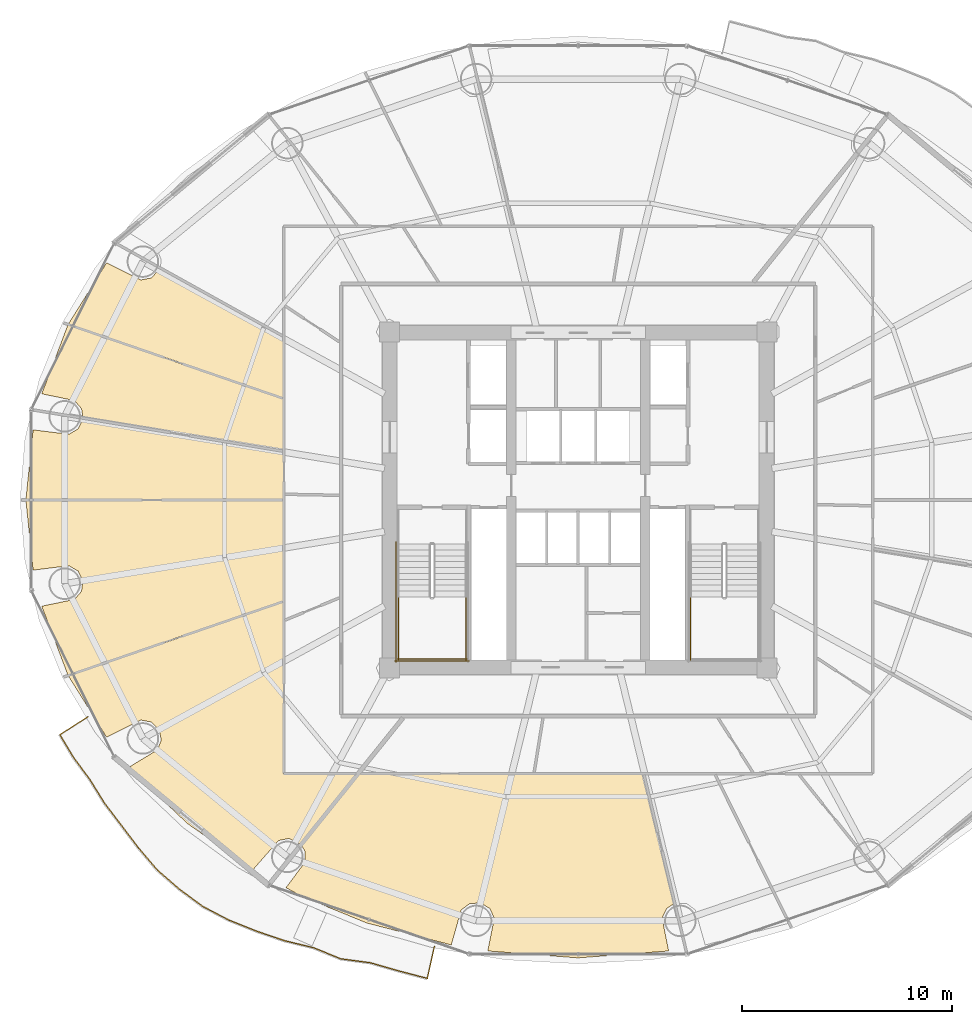
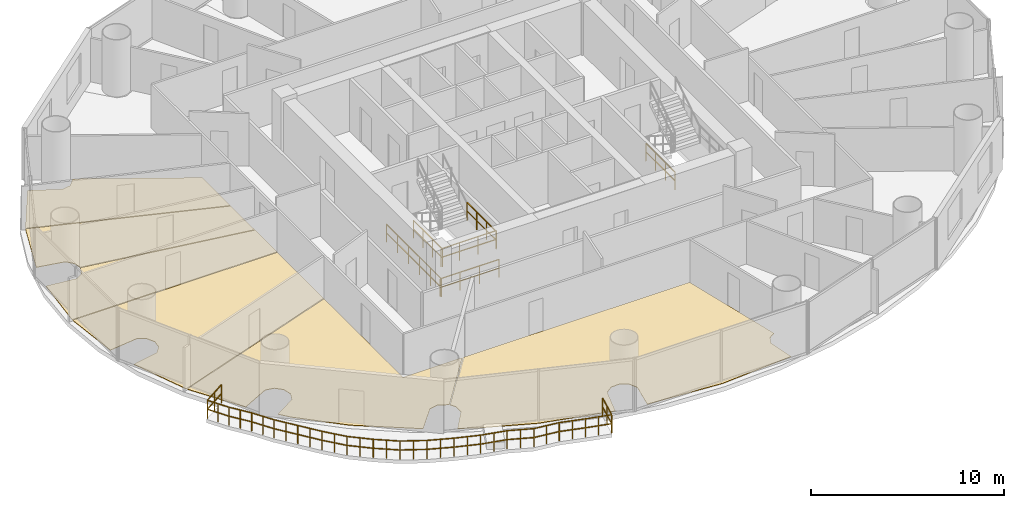
# One storey, part 26 of 29: 7 railings, 6 coverings.
"""IFC4 building model written with IfcOpenShell, lengths in metres."""

from ifc_helpers import new_model, si_unit, direction, frame, origin, origin_2d, place, context, subcontext, project, spatial, polyline, rectangle, outline, extrude, material, layer, layer_set, type_object, element, save


model = new_model("IFC4")

# Units and contexts
model_context = context("Model", 3, precision=1e-05, world=origin(), true_north=direction((-0.2419218956, 0.970295726276)))
body_context = subcontext(model_context, "Body", "Model", "MODEL_VIEW")
ifc_project = project(units=[si_unit("LENGTHUNIT", "METRE"), si_unit("AREAUNIT", "SQUARE_METRE"), si_unit("VOLUMEUNIT", "CUBIC_METRE"), si_unit("PLANEANGLEUNIT", "RADIAN"), si_unit("MASSUNIT", "GRAM", prefix="KILO")], contexts=[model_context])

# Site, building, storey
site_placement = place(None, origin())
site = spatial("IfcSite", under=ifc_project, at=site_placement, CompositionType="ELEMENT")
building_placement = place(site_placement, origin())
building = spatial("IfcBuilding", under=site, at=building_placement, Name="Cobrevalo Terracotta Tower", CompositionType="ELEMENT")
storey_placement = place(building_placement, frame((0.0, 0.0, 112.199951171875)))
storey = spatial("IfcBuildingStorey", under=building, at=storey_placement, Name="L29", CompositionType="ELEMENT", Elevation=112.199951171875)

# Railing
ifc_material_1 = material(Name="Laminated structural glass and stainless steel", Category="steel")
railing_type_1 = type_object("IfcRailingType", Name="Balcony lobe structural glass & terracotta-cap balustrade 1180 mm", PredefinedType="BALUSTRADE", material=ifc_material_1)
railing_1_placement = place(storey_placement, frame((14.63916015625, 16.47216796875, 0.0)))
element("IfcRailing", 1, at=railing_1_placement, inside=storey, type_object=railing_type_1, Name="L29 spiralling balcony lobe balustrade 2", PredefinedType="BALUSTRADE", context=body_context, shape_type="SweptSolid", body=[
    extrude(rectangle(XDim=0.048095703125, YDim=0.048095703125, at=origin_2d()), frame((0.0, 0.0, 1.15576171875), z_axis=(-0.842335624258, -0.538953333885, 0.0), x_axis=(0.538953333885, -0.842335624258, 0.0)), (0.0, 0.0, 1.0), 1.587646484375),
    extrude(rectangle(XDim=0.048095703125, YDim=0.048095703125, at=origin_2d()), frame((0.0, 0.0, 0.58984375), z_axis=(-0.842335624258, -0.538953333885, 0.0), x_axis=(0.538953333885, -0.842335624258, 0.0)), (0.0, 0.0, 1.0), 1.587646484375),
    extrude(rectangle(XDim=0.048095703125, YDim=0.048095703125, at=origin_2d()), frame((-1.33740234375, -0.855712890625, 1.15576171875), z_axis=(0.512466619976, -0.858707146477, 0.0), x_axis=(0.858707146477, 0.512466619976, 0.0)), (0.0, 0.0, 1.0), 1.27490234375),
    extrude(rectangle(XDim=0.048095703125, YDim=0.048095703125, at=origin_2d()), frame((-1.33740234375, -0.855712890625, 0.58984375), z_axis=(0.512466619976, -0.858707146477, 0.0), x_axis=(0.858707146477, 0.512466619976, 0.0)), (0.0, 0.0, 1.0), 1.27490234375),
    extrude(rectangle(XDim=0.048095703125, YDim=0.048095703125, at=origin_2d()), frame((-0.68408203125, -1.950439453125, 1.15576171875), z_axis=(0.59694868326, -0.802279421121, 0.0), x_axis=(0.802279421121, 0.59694868326, 0.0)), (0.0, 0.0, 1.0), 1.294921875),
    extrude(rectangle(XDim=0.048095703125, YDim=0.048095703125, at=origin_2d()), frame((-0.68408203125, -1.950439453125, 0.58984375), z_axis=(0.59694868326, -0.802279421121, 0.0), x_axis=(0.802279421121, 0.59694868326, 0.0)), (0.0, 0.0, 1.0), 1.294921875),
    extrude(rectangle(XDim=0.048095703125, YDim=0.048095703125, at=origin_2d()), frame((0.0888671875, -2.9892578125, 1.15576171875), z_axis=(0.525113053791, -0.85103247925, 0.0), x_axis=(0.85103247925, 0.525113053791, 0.0)), (0.0, 0.0, 1.0), 1.31396484375),
    extrude(rectangle(XDim=0.048095703125, YDim=0.048095703125, at=origin_2d()), frame((0.0888671875, -2.9892578125, 0.58984375), z_axis=(0.525113053791, -0.85103247925, 0.0), x_axis=(0.85103247925, 0.525113053791, 0.0)), (0.0, 0.0, 1.0), 1.31396484375),
    extrude(rectangle(XDim=0.048095703125, YDim=0.048095703125, at=origin_2d()), frame((0.77880859375, -4.107421875, 1.15576171875), z_axis=(0.604874617379, -0.796320725117, 0.0), x_axis=(0.796320725117, 0.604874617379, 0.0)), (0.0, 0.0, 1.0), 1.335205078125),
    extrude(rectangle(XDim=0.048095703125, YDim=0.048095703125, at=origin_2d()), frame((0.77880859375, -4.107421875, 0.58984375), z_axis=(0.604874617379, -0.796320725117, 0.0), x_axis=(0.796320725117, 0.604874617379, 0.0)), (0.0, 0.0, 1.0), 1.335205078125),
    extrude(rectangle(XDim=0.048095703125, YDim=0.048095703125, at=origin_2d()), frame((1.58642578125, -5.170654296875, 1.15576171875), z_axis=(0.604264852261, -0.796783526638, 0.0), x_axis=(0.796783526638, 0.604264852261, 0.0)), (0.0, 0.0, 1.0), 1.362060546875),
    extrude(rectangle(XDim=0.048095703125, YDim=0.048095703125, at=origin_2d()), frame((1.58642578125, -5.170654296875, 0.58984375), z_axis=(0.604264852261, -0.796783526638, 0.0), x_axis=(0.796783526638, 0.604264852261, 0.0)), (0.0, 0.0, 1.0), 1.362060546875),
    extrude(rectangle(XDim=0.048095703125, YDim=0.048095703125, at=origin_2d()), frame((2.409423828125, -6.255859375, 1.15576171875), z_axis=(0.647962962217, -0.761671845085, 0.0), x_axis=(0.761671845085, 0.647962962217, 0.0)), (0.0, 0.0, 1.0), 1.3740234375),
    extrude(rectangle(XDim=0.048095703125, YDim=0.048095703125, at=origin_2d()), frame((2.409423828125, -6.255859375, 0.58984375), z_axis=(0.647962962217, -0.761671845085, 0.0), x_axis=(0.761671845085, 0.647962962217, 0.0)), (0.0, 0.0, 1.0), 1.3740234375),
    extrude(rectangle(XDim=0.048095703125, YDim=0.048095703125, at=origin_2d()), frame((3.2998046875, -7.302490234375, 1.15576171875), z_axis=(0.755822427035, -0.654776648019, 0.0), x_axis=(0.654776648019, 0.755822427035, 0.0)), (0.0, 0.0, 1.0), 1.38916015625),
    extrude(rectangle(XDim=0.048095703125, YDim=0.048095703125, at=origin_2d()), frame((3.2998046875, -7.302490234375, 0.58984375), z_axis=(0.755822427035, -0.654776648019, 0.0), x_axis=(0.654776648019, 0.755822427035, 0.0)), (0.0, 0.0, 1.0), 1.38916015625),
    extrude(rectangle(XDim=0.048095703125, YDim=0.048095703125, at=origin_2d()), frame((4.349853515625, -8.212158203125, 1.15576171875), z_axis=(0.803989798826, -0.594643089075, 0.0), x_axis=(0.594643089075, 0.803989798826, 0.0)), (0.0, 0.0, 1.0), 1.388916015625),
    extrude(rectangle(XDim=0.048095703125, YDim=0.048095703125, at=origin_2d()), frame((4.349853515625, -8.212158203125, 0.58984375), z_axis=(0.803989798826, -0.594643089075, 0.0), x_axis=(0.594643089075, 0.803989798826, 0.0)), (0.0, 0.0, 1.0), 1.388916015625),
    extrude(rectangle(XDim=0.048095703125, YDim=0.048095703125, at=origin_2d()), frame((5.466552734375, -9.0380859375, 1.15576171875), z_axis=(0.886076256137, -0.463539500269, 0.0), x_axis=(0.463539500269, 0.886076256137, 0.0)), (0.0, 0.0, 1.0), 1.4052734375),
    extrude(rectangle(XDim=0.048095703125, YDim=0.048095703125, at=origin_2d()), frame((5.466552734375, -9.0380859375, 0.58984375), z_axis=(0.886076256137, -0.463539500269, 0.0), x_axis=(0.463539500269, 0.886076256137, 0.0)), (0.0, 0.0, 1.0), 1.4052734375),
    extrude(rectangle(XDim=0.048095703125, YDim=0.048095703125, at=origin_2d()), frame((6.711669921875, -9.689453125, 1.15576171875), z_axis=(0.928488574912, -0.37136096491, 0.0), x_axis=(0.37136096491, 0.928488574912, 0.0)), (0.0, 0.0, 1.0), 1.416748046875),
    extrude(rectangle(XDim=0.048095703125, YDim=0.048095703125, at=origin_2d()), frame((6.711669921875, -9.689453125, 0.58984375), z_axis=(0.928488574912, -0.37136096491, 0.0), x_axis=(0.37136096491, 0.928488574912, 0.0)), (0.0, 0.0, 1.0), 1.416748046875),
    extrude(rectangle(XDim=0.048095703125, YDim=0.048095703125, at=origin_2d()), frame((8.027099609375, -10.215576171875, 1.15576171875), z_axis=(0.946279965288, -0.323348461099, 0.0), x_axis=(0.323348461099, 0.946279965288, 0.0)), (0.0, 0.0, 1.0), 1.407470703125),
    extrude(rectangle(XDim=0.048095703125, YDim=0.048095703125, at=origin_2d()), frame((8.027099609375, -10.215576171875, 0.58984375), z_axis=(0.946279965288, -0.323348461099, 0.0), x_axis=(0.323348461099, 0.946279965288, 0.0)), (0.0, 0.0, 1.0), 1.407470703125),
    extrude(rectangle(XDim=0.048095703125, YDim=0.048095703125, at=origin_2d()), frame((9.35888671875, -10.670654296875, 1.15576171875), z_axis=(0.971982698501, -0.235052406527, 0.0), x_axis=(0.235052406527, 0.971982698501, 0.0)), (0.0, 0.0, 1.0), 1.42919921875),
    extrude(rectangle(XDim=0.048095703125, YDim=0.048095703125, at=origin_2d()), frame((9.35888671875, -10.670654296875, 0.58984375), z_axis=(0.971982698501, -0.235052406527, 0.0), x_axis=(0.235052406527, 0.971982698501, 0.0)), (0.0, 0.0, 1.0), 1.42919921875),
    extrude(rectangle(XDim=0.048095703125, YDim=0.048095703125, at=origin_2d()), frame((10.748046875, -11.006591796875, 1.15576171875), z_axis=(0.925843908026, -0.377906149688, 0.0), x_axis=(0.377906149688, 0.925843908026, 0.0)), (0.0, 0.0, 1.0), 1.39990234375),
    extrude(rectangle(XDim=0.048095703125, YDim=0.048095703125, at=origin_2d()), frame((10.748046875, -11.006591796875, 0.58984375), z_axis=(0.925843908026, -0.377906149688, 0.0), x_axis=(0.377906149688, 0.925843908026, 0.0)), (0.0, 0.0, 1.0), 1.39990234375),
    extrude(rectangle(XDim=0.048095703125, YDim=0.048095703125, at=origin_2d()), frame((12.044189453125, -11.53564453125, 1.15576171875), z_axis=(0.991221932441, -0.132208474187, 0.0), x_axis=(0.132208474187, 0.991221932441, 0.0)), (0.0, 0.0, 1.0), 1.42919921875),
    extrude(rectangle(XDim=0.048095703125, YDim=0.048095703125, at=origin_2d()), frame((12.044189453125, -11.53564453125, 0.58984375), z_axis=(0.991221932441, -0.132208474187, 0.0), x_axis=(0.132208474187, 0.991221932441, 0.0)), (0.0, 0.0, 1.0), 1.42919921875),
    extrude(rectangle(XDim=0.048095703125, YDim=0.048095703125, at=origin_2d()), frame((13.4609375, -11.724609375, 1.15576171875), z_axis=(0.961267940498, -0.275615577519, 0.0), x_axis=(0.275615577519, 0.961267940498, 0.0)), (0.0, 0.0, 1.0), 1.40576171875),
    extrude(rectangle(XDim=0.048095703125, YDim=0.048095703125, at=origin_2d()), frame((13.4609375, -11.724609375, 0.58984375), z_axis=(0.961267940498, -0.275615577519, 0.0), x_axis=(0.275615577519, 0.961267940498, 0.0)), (0.0, 0.0, 1.0), 1.40576171875),
    extrude(rectangle(XDim=0.048095703125, YDim=0.048095703125, at=origin_2d()), frame((14.812255859375, -12.112060546875, 1.15576171875), z_axis=(0.967200536838, -0.254014018393, 0.0), x_axis=(0.254014018393, 0.967200536838, 0.0)), (0.0, 0.0, 1.0), 1.404296875),
    extrude(rectangle(XDim=0.048095703125, YDim=0.048095703125, at=origin_2d()), frame((14.812255859375, -12.112060546875, 0.58984375), z_axis=(0.967200536838, -0.254014018393, 0.0), x_axis=(0.254014018393, 0.967200536838, 0.0)), (0.0, 0.0, 1.0), 1.404296875),
    extrude(rectangle(XDim=0.048095703125, YDim=0.048095703125, at=origin_2d()), frame((16.17041015625, -12.46875, 1.15576171875), z_axis=(0.217341672445, 0.976095588259, 0.0), x_axis=(-0.976095588259, 0.217341672445, 0.0)), (0.0, 0.0, 1.0), 1.571533203125),
    extrude(rectangle(XDim=0.048095703125, YDim=0.048095703125, at=origin_2d()), frame((16.17041015625, -12.46875, 0.58984375), z_axis=(0.217341672445, 0.976095588259, 0.0), x_axis=(-0.976095588259, 0.217341672445, 0.0)), (0.0, 0.0, 1.0), 1.571533203125),
    extrude(rectangle(XDim=0.0419921875, YDim=0.0419921875, at=origin_2d()), origin(), (0.0, 0.0, 1.0), 1.1318359375),
    extrude(rectangle(XDim=0.0419921875, YDim=0.0419921875, at=origin_2d()), frame((-0.668701171875, -0.427734375, 0.0)), (0.0, 0.0, 1.0), 1.1318359375),
    extrude(rectangle(XDim=0.0419921875, YDim=0.0419921875, at=origin_2d()), frame((-1.33740234375, -0.855712890625, 0.0)), (0.0, 0.0, 1.0), 1.1318359375),
    extrude(rectangle(XDim=0.0419921875, YDim=0.0419921875, at=origin_2d()), frame((-1.0107421875, -1.403076171875, 0.0)), (0.0, 0.0, 1.0), 1.1318359375),
    extrude(rectangle(XDim=0.0419921875, YDim=0.0419921875, at=origin_2d()), frame((-0.68408203125, -1.950439453125, 0.0)), (0.0, 0.0, 1.0), 1.1318359375),
    extrude(rectangle(XDim=0.0419921875, YDim=0.0419921875, at=origin_2d()), frame((-0.297607421875, -2.4697265625, 0.0)), (0.0, 0.0, 1.0), 1.1318359375),
    extrude(rectangle(XDim=0.0419921875, YDim=0.0419921875, at=origin_2d()), frame((0.0888671875, -2.9892578125, 0.0)), (0.0, 0.0, 1.0), 1.1318359375),
    extrude(rectangle(XDim=0.0419921875, YDim=0.0419921875, at=origin_2d()), frame((0.433837890625, -3.54833984375, 0.0)), (0.0, 0.0, 1.0), 1.1318359375),
    extrude(rectangle(XDim=0.0419921875, YDim=0.0419921875, at=origin_2d()), frame((0.77880859375, -4.107421875, 0.0)), (0.0, 0.0, 1.0), 1.1318359375),
    extrude(rectangle(XDim=0.0419921875, YDim=0.0419921875, at=origin_2d()), frame((1.1826171875, -4.63916015625, 0.0)), (0.0, 0.0, 1.0), 1.1318359375),
    extrude(rectangle(XDim=0.0419921875, YDim=0.0419921875, at=origin_2d()), frame((1.58642578125, -5.170654296875, 0.0)), (0.0, 0.0, 1.0), 1.1318359375),
    extrude(rectangle(XDim=0.0419921875, YDim=0.0419921875, at=origin_2d()), frame((1.998046875, -5.71337890625, 0.0)), (0.0, 0.0, 1.0), 1.1318359375),
    extrude(rectangle(XDim=0.0419921875, YDim=0.0419921875, at=origin_2d()), frame((2.409423828125, -6.255859375, 0.0)), (0.0, 0.0, 1.0), 1.1318359375),
    extrude(rectangle(XDim=0.0419921875, YDim=0.0419921875, at=origin_2d()), frame((2.8544921875, -6.779296875, 0.0)), (0.0, 0.0, 1.0), 1.1318359375),
    extrude(rectangle(XDim=0.0419921875, YDim=0.0419921875, at=origin_2d()), frame((3.2998046875, -7.302490234375, 0.0)), (0.0, 0.0, 1.0), 1.1318359375),
    extrude(rectangle(XDim=0.0419921875, YDim=0.0419921875, at=origin_2d()), frame((3.82470703125, -7.75732421875, 0.0)), (0.0, 0.0, 1.0), 1.1318359375),
    extrude(rectangle(XDim=0.0419921875, YDim=0.0419921875, at=origin_2d()), frame((4.349853515625, -8.212158203125, 0.0)), (0.0, 0.0, 1.0), 1.1318359375),
    extrude(rectangle(XDim=0.0419921875, YDim=0.0419921875, at=origin_2d()), frame((4.908203125, -8.625, 0.0)), (0.0, 0.0, 1.0), 1.1318359375),
    extrude(rectangle(XDim=0.0419921875, YDim=0.0419921875, at=origin_2d()), frame((5.466552734375, -9.0380859375, 0.0)), (0.0, 0.0, 1.0), 1.1318359375),
    extrude(rectangle(XDim=0.0419921875, YDim=0.0419921875, at=origin_2d()), frame((6.089111328125, -9.36376953125, 0.0)), (0.0, 0.0, 1.0), 1.1318359375),
    extrude(rectangle(XDim=0.0419921875, YDim=0.0419921875, at=origin_2d()), frame((6.711669921875, -9.689453125, 0.0)), (0.0, 0.0, 1.0), 1.1318359375),
    extrude(rectangle(XDim=0.0419921875, YDim=0.0419921875, at=origin_2d()), frame((7.369384765625, -9.95263671875, 0.0)), (0.0, 0.0, 1.0), 1.1318359375),
    extrude(rectangle(XDim=0.0419921875, YDim=0.0419921875, at=origin_2d()), frame((8.027099609375, -10.215576171875, 0.0)), (0.0, 0.0, 1.0), 1.1318359375),
    extrude(rectangle(XDim=0.0419921875, YDim=0.0419921875, at=origin_2d()), frame((8.69287109375, -10.443115234375, 0.0)), (0.0, 0.0, 1.0), 1.1318359375),
    extrude(rectangle(XDim=0.0419921875, YDim=0.0419921875, at=origin_2d()), frame((9.35888671875, -10.670654296875, 0.0)), (0.0, 0.0, 1.0), 1.1318359375),
    extrude(rectangle(XDim=0.0419921875, YDim=0.0419921875, at=origin_2d()), frame((10.053466796875, -10.838623046875, 0.0)), (0.0, 0.0, 1.0), 1.1318359375),
    extrude(rectangle(XDim=0.0419921875, YDim=0.0419921875, at=origin_2d()), frame((10.748046875, -11.006591796875, 0.0)), (0.0, 0.0, 1.0), 1.1318359375),
    extrude(rectangle(XDim=0.0419921875, YDim=0.0419921875, at=origin_2d()), frame((11.39599609375, -11.27099609375, 0.0)), (0.0, 0.0, 1.0), 1.1318359375),
    extrude(rectangle(XDim=0.0419921875, YDim=0.0419921875, at=origin_2d()), frame((12.044189453125, -11.53564453125, 0.0)), (0.0, 0.0, 1.0), 1.1318359375),
    extrude(rectangle(XDim=0.0419921875, YDim=0.0419921875, at=origin_2d()), frame((12.75244140625, -11.630126953125, 0.0)), (0.0, 0.0, 1.0), 1.1318359375),
    extrude(rectangle(XDim=0.0419921875, YDim=0.0419921875, at=origin_2d()), frame((13.4609375, -11.724609375, 0.0)), (0.0, 0.0, 1.0), 1.1318359375),
    extrude(rectangle(XDim=0.0419921875, YDim=0.0419921875, at=origin_2d()), frame((14.13671875, -11.91845703125, 0.0)), (0.0, 0.0, 1.0), 1.1318359375),
    extrude(rectangle(XDim=0.0419921875, YDim=0.0419921875, at=origin_2d()), frame((14.812255859375, -12.112060546875, 0.0)), (0.0, 0.0, 1.0), 1.1318359375),
    extrude(rectangle(XDim=0.0419921875, YDim=0.0419921875, at=origin_2d()), frame((15.4912109375, -12.29052734375, 0.0)), (0.0, 0.0, 1.0), 1.1318359375),
    extrude(rectangle(XDim=0.0419921875, YDim=0.0419921875, at=origin_2d()), frame((16.17041015625, -12.46875, 0.0)), (0.0, 0.0, 1.0), 1.1318359375),
    extrude(rectangle(XDim=0.0419921875, YDim=0.0419921875, at=origin_2d()), frame((16.34130859375, -11.70166015625, 0.0)), (0.0, 0.0, 1.0), 1.1318359375),
    extrude(rectangle(XDim=0.0419921875, YDim=0.0419921875, at=origin_2d()), frame((16.511962890625, -10.934814453125, 0.0)), (0.0, 0.0, 1.0), 1.1318359375),
])

# Coverings
ifc_material_2 = material(Name="Engineered Brazilian hardwood flooring", Category="wood")
ifc_layer = layer(ifc_material_2, 0.028076171875)
ifc_layer_set = layer_set([ifc_layer], Name="Engineered Brazilian hardwood flooring")
covering_type = type_object("IfcCoveringType", Name="Engineered Hardwood Suite Flooring 28", PredefinedType="FLOORING", material=ifc_layer_set)
covering_1_placement = place(storey_placement, origin())
element("IfcCovering", 2, at=covering_1_placement, inside=storey, type_object=covering_type, Name="Flat L29A South Bedroom floor finish", PredefinedType="FLOORING", context=body_context, shape_type="SweptSolid", body=[
    extrude(outline(polyline([(15.525146484375, 38.10546875), (17.15966796875, 37.286376953125), (17.661865234375, 37.381103515625), (18.0703125, 37.8408203125), (23.945068359375, 34.57958984375), (23.945068359375, 31.657958984375), (13.703125, 35.1826171875), (15.525146484375, 38.10546875)])), origin(), (0.0, 0.0, 1.0), 0.030029296875),
])
covering_2_placement = place(storey_placement, origin())
element("IfcCovering", 3, at=covering_2_placement, inside=storey, type_object=covering_type, Name="Flat L29A Penthouse Family Lounge floor finish", PredefinedType="FLOORING", context=body_context, shape_type="SweptSolid", body=[
    extrude(outline(polyline([(13.6845703125, 35.146728515625), (23.945068359375, 31.61572265625), (23.945068359375, 29.14306640625), (14.402587890625, 30.719970703125), (14.330322265625, 31.154541015625), (13.99267578125, 31.537841796875), (12.435791015625, 31.859619140625), (13.6845703125, 35.146728515625)])), origin(), (0.0, 0.0, 1.0), 0.030029296875),
])
covering_3_placement = place(storey_placement, origin())
element("IfcCovering", 4, at=covering_3_placement, inside=storey, type_object=covering_type, Name="Flat L29A Penthouse Family Lounge floor finish", PredefinedType="FLOORING", context=body_context, shape_type="SweptSolid", body=[
    extrude(outline(polyline([(12.024169921875, 30.143310546875), (13.73095703125, 29.932861328125), (14.1728515625, 30.189208984375), (14.39697265625, 30.680419921875), (23.945068359375, 29.1025390625), (23.945068359375, 26.820068359375), (11.681640625, 26.820068359375), (12.024169921875, 30.143310546875)])), origin(), (0.0, 0.0, 1.0), 0.030029296875),
])
covering_4_placement = place(storey_placement, origin())
element("IfcCovering", 5, at=covering_4_placement, inside=storey, type_object=covering_type, Name="Flat L29A Penthouse Family Lounge floor finish", PredefinedType="FLOORING", context=body_context, shape_type="SweptSolid", body=[
    extrude(outline(polyline([(13.6845703125, 18.453369140625), (12.435791015625, 21.740478515625), (13.99267578125, 22.06201171875), (14.330322265625, 22.445556640625), (14.39794921875, 22.951904296875), (14.1728515625, 23.41064453125), (13.73095703125, 23.6669921875), (12.024169921875, 23.45654296875), (11.681640625, 26.780029296875), (23.945068359375, 26.780029296875), (23.945068359375, 21.984375), (13.6845703125, 18.453369140625)])), origin(), (0.0, 0.0, 1.0), 0.030029296875),
])
covering_5_placement = place(storey_placement, origin())
element("IfcCovering", 6, at=covering_5_placement, inside=storey, type_object=covering_type, Name="Flat L29A Private Cinema Room floor finish", PredefinedType="FLOORING", context=body_context, shape_type="SweptSolid", body=[
    extrude(outline(polyline([(16.64697265625, 14.102294921875), (17.94091796875, 14.88720703125), (18.131591796875, 15.361328125), (18.02685546875, 15.861328125), (17.661865234375, 16.218994140625), (17.15966796875, 16.3134765625), (15.525146484375, 15.49462890625), (13.703125, 18.417236328125), (23.945068359375, 21.94189453125), (23.945068359375, 13.7451171875), (27.47509765625, 13.7451171875), (24.780029296875, 10.393798828125), (24.221923828125, 10.672607421875), (23.72119140625, 10.5712890625), (22.511474609375, 9.193359375), (19.3876953125, 11.372314453125), (17.117919921875, 13.518310546875), (16.64697265625, 14.102294921875)])), origin(), (0.0, 0.0, 1.0), 0.030029296875),
])
covering_6_placement = place(storey_placement, origin())
element("IfcCovering", 7, at=covering_6_placement, inside=storey, type_object=covering_type, Name="Flat L29B Penthouse Living and Dining Room floor finish", PredefinedType="FLOORING", context=body_context, shape_type="SweptSolid", body=[
    extrude(outline(polyline([(38.0, 4.97998046875), (33.6904296875, 5.310791015625), (34.002197265625, 6.87841796875), (33.7802734375, 7.3388671875), (33.340087890625, 7.59814453125), (32.829833984375, 7.5693359375), (32.421875, 7.261962890625), (31.94921875, 5.59814453125), (27.926513671875, 6.641357421875), (24.838623046875, 7.904052734375), (24.07568359375, 8.32666015625), (24.9814453125, 9.543701171875), (24.97998046875, 10.0546875), (24.806640625, 10.36328125), (27.5263671875, 13.7451171875), (41.10498046875, 13.7451171875), (42.5830078125, 7.5712890625), (42.2197265625, 7.3388671875), (41.997802734375, 6.87841796875), (42.3095703125, 5.310791015625), (38.0, 4.97998046875)])), origin(), (0.0, 0.0, 1.0), 0.030029296875),
])

# Railings
ifc_material_3 = material(Name="Painted galvanized steel", Category="steel")
railing_type_2 = type_object("IfcRailingType", Name="Stair Well Guard Balustrade 1150", PredefinedType="GUARDRAIL", material=ifc_material_3)
for number, where, name in (
    (8, (29.425048828125, 22.179931640625, 1.800048828125), "L29 ST-1 stair guard 3"),
    (9, (32.64501953125, 22.179931640625, 1.800048828125), "L29 ST-1 stair guard 4"),
):
    element("IfcRailing", number, at=place(storey_placement, frame(where)), inside=storey, type_object=railing_type_2, Name=name, PredefinedType="GUARDRAIL", context=body_context, shape_type="SweptSolid", body=[
        extrude(rectangle(XDim=0.048095703125, YDim=0.048095703125, at=origin_2d()), frame((0.0, 0.0, 1.1259765625), z_axis=(0.0, -1.0, 0.0), x_axis=(1.0, 0.0, 0.0)), (0.0, 0.0, 1.0), 3.0048828125),
        extrude(rectangle(XDim=0.048095703125, YDim=0.048095703125, at=origin_2d()), frame((0.0, 0.0, 0.574951171875), z_axis=(0.0, -1.0, 0.0), x_axis=(1.0, 0.0, 0.0)), (0.0, 0.0, 1.0), 3.0048828125),
        extrude(rectangle(XDim=0.0419921875, YDim=0.0419921875, at=origin_2d()), origin(), (0.0, 0.0, 1.0), 1.101806640625),
        extrude(rectangle(XDim=0.0419921875, YDim=0.0419921875, at=origin_2d()), frame((0.0, -1.001708984375, 0.0)), (0.0, 0.0, 1.0), 1.101806640625),
        extrude(rectangle(XDim=0.0419921875, YDim=0.0419921875, at=origin_2d()), frame((0.0, -2.003173828125, 0.0)), (0.0, 0.0, 1.0), 1.101806640625),
        extrude(rectangle(XDim=0.0419921875, YDim=0.0419921875, at=origin_2d()), frame((0.0, -3.0048828125, 0.0)), (0.0, 0.0, 1.0), 1.101806640625),
    ])
railing_2_placement = place(storey_placement, frame((29.375, 19.22509765625, 1.800048828125)))
element("IfcRailing", 10, at=railing_2_placement, inside=storey, type_object=railing_type_2, Name="L29 ST-1 stair guard 5", PredefinedType="GUARDRAIL", context=body_context, shape_type="SweptSolid", body=[
    extrude(rectangle(XDim=0.048095703125, YDim=0.048095703125, at=origin_2d()), frame((0.0, 0.0, 1.1259765625), z_axis=(1.0, 0.0, 0.0), x_axis=(0.0, 1.0, 0.0)), (0.0, 0.0, 1.0), 3.320068359375),
    extrude(rectangle(XDim=0.048095703125, YDim=0.048095703125, at=origin_2d()), frame((0.0, 0.0, 0.574951171875), z_axis=(1.0, 0.0, 0.0), x_axis=(0.0, 1.0, 0.0)), (0.0, 0.0, 1.0), 3.320068359375),
    extrude(rectangle(XDim=0.0419921875, YDim=0.0419921875, at=origin_2d()), origin(), (0.0, 0.0, 1.0), 1.101806640625),
    extrude(rectangle(XDim=0.0419921875, YDim=0.0419921875, at=origin_2d()), frame((1.106689453125, 0.0, 0.0)), (0.0, 0.0, 1.0), 1.101806640625),
    extrude(rectangle(XDim=0.0419921875, YDim=0.0419921875, at=origin_2d()), frame((2.21337890625, 0.0, 0.0)), (0.0, 0.0, 1.0), 1.101806640625),
    extrude(rectangle(XDim=0.0419921875, YDim=0.0419921875, at=origin_2d()), frame((3.320068359375, 0.0, 0.0)), (0.0, 0.0, 1.0), 1.101806640625),
])
railing_3_placement = place(storey_placement, frame((29.324951171875, 24.800048828125, 0.0)))
element("IfcRailing", 11, at=railing_3_placement, inside=storey, type_object=railing_type_2, Name="L29 ST-1 stair guard 10", PredefinedType="GUARDRAIL", context=body_context, shape_type="SweptSolid", body=[
    extrude(rectangle(XDim=0.048095703125, YDim=0.048095703125, at=origin_2d()), frame((0.0, 0.0, 1.1259765625), z_axis=(0.0, -1.0, 0.0), x_axis=(1.0, 0.0, 0.0)), (0.0, 0.0, 1.0), 5.72509765625),
    extrude(rectangle(XDim=0.048095703125, YDim=0.048095703125, at=origin_2d()), frame((0.0, 0.0, 0.574951171875), z_axis=(0.0, -1.0, 0.0), x_axis=(1.0, 0.0, 0.0)), (0.0, 0.0, 1.0), 5.72509765625),
    extrude(rectangle(XDim=0.0419921875, YDim=0.0419921875, at=origin_2d()), origin(), (0.0, 0.0, 1.0), 1.101806640625),
    extrude(rectangle(XDim=0.0419921875, YDim=0.0419921875, at=origin_2d()), frame((0.0, -1.14501953125, 0.0)), (0.0, 0.0, 1.0), 1.101806640625),
    extrude(rectangle(XDim=0.0419921875, YDim=0.0419921875, at=origin_2d()), frame((0.0, -2.2900390625, 0.0)), (0.0, 0.0, 1.0), 1.101806640625),
    extrude(rectangle(XDim=0.0419921875, YDim=0.0419921875, at=origin_2d()), frame((0.0, -3.43505859375, 0.0)), (0.0, 0.0, 1.0), 1.101806640625),
    extrude(rectangle(XDim=0.0419921875, YDim=0.0419921875, at=origin_2d()), frame((0.0, -4.580078125, 0.0)), (0.0, 0.0, 1.0), 1.101806640625),
    extrude(rectangle(XDim=0.0419921875, YDim=0.0419921875, at=origin_2d()), frame((0.0, -5.72509765625, 0.0)), (0.0, 0.0, 1.0), 1.101806640625),
])
railing_4_placement = place(storey_placement, frame((29.27490234375, 19.125, 0.0)))
element("IfcRailing", 12, at=railing_4_placement, inside=storey, type_object=railing_type_2, Name="L29 ST-1 stair guard 12", PredefinedType="GUARDRAIL", context=body_context, shape_type="SweptSolid", body=[
    extrude(rectangle(XDim=0.048095703125, YDim=0.048095703125, at=origin_2d()), frame((0.0, 0.0, 1.1259765625), z_axis=(1.0, 0.0, 0.0), x_axis=(0.0, 1.0, 0.0)), (0.0, 0.0, 1.0), 3.52001953125),
    extrude(rectangle(XDim=0.048095703125, YDim=0.048095703125, at=origin_2d()), frame((0.0, 0.0, 0.574951171875), z_axis=(1.0, 0.0, 0.0), x_axis=(0.0, 1.0, 0.0)), (0.0, 0.0, 1.0), 3.52001953125),
    extrude(rectangle(XDim=0.0419921875, YDim=0.0419921875, at=origin_2d()), origin(), (0.0, 0.0, 1.0), 1.101806640625),
    extrude(rectangle(XDim=0.0419921875, YDim=0.0419921875, at=origin_2d()), frame((1.17333984375, 0.0, 0.0)), (0.0, 0.0, 1.0), 1.101806640625),
    extrude(rectangle(XDim=0.0419921875, YDim=0.0419921875, at=origin_2d()), frame((2.3466796875, 0.0, 0.0)), (0.0, 0.0, 1.0), 1.101806640625),
    extrude(rectangle(XDim=0.0419921875, YDim=0.0419921875, at=origin_2d()), frame((3.52001953125, 0.0, 0.0)), (0.0, 0.0, 1.0), 1.101806640625),
])
railing_5_placement = place(storey_placement, frame((43.35498046875, 22.179931640625, 1.800048828125)))
element("IfcRailing", 13, at=railing_5_placement, inside=storey, type_object=railing_type_2, Name="L29 ST-2 stair guard 3", PredefinedType="GUARDRAIL", context=body_context, shape_type="SweptSolid", body=[
    extrude(rectangle(XDim=0.048095703125, YDim=0.048095703125, at=origin_2d()), frame((0.0, 0.0, 1.1259765625), z_axis=(0.0, -1.0, 0.0), x_axis=(1.0, 0.0, 0.0)), (0.0, 0.0, 1.0), 3.0048828125),
    extrude(rectangle(XDim=0.048095703125, YDim=0.048095703125, at=origin_2d()), frame((0.0, 0.0, 0.574951171875), z_axis=(0.0, -1.0, 0.0), x_axis=(1.0, 0.0, 0.0)), (0.0, 0.0, 1.0), 3.0048828125),
    extrude(rectangle(XDim=0.0419921875, YDim=0.0419921875, at=origin_2d()), origin(), (0.0, 0.0, 1.0), 1.101806640625),
    extrude(rectangle(XDim=0.0419921875, YDim=0.0419921875, at=origin_2d()), frame((0.0, -1.001708984375, 0.0)), (0.0, 0.0, 1.0), 1.101806640625),
    extrude(rectangle(XDim=0.0419921875, YDim=0.0419921875, at=origin_2d()), frame((0.0, -2.003173828125, 0.0)), (0.0, 0.0, 1.0), 1.101806640625),
    extrude(rectangle(XDim=0.0419921875, YDim=0.0419921875, at=origin_2d()), frame((0.0, -3.0048828125, 0.0)), (0.0, 0.0, 1.0), 1.101806640625),
])

save(model, "model.ifc")
